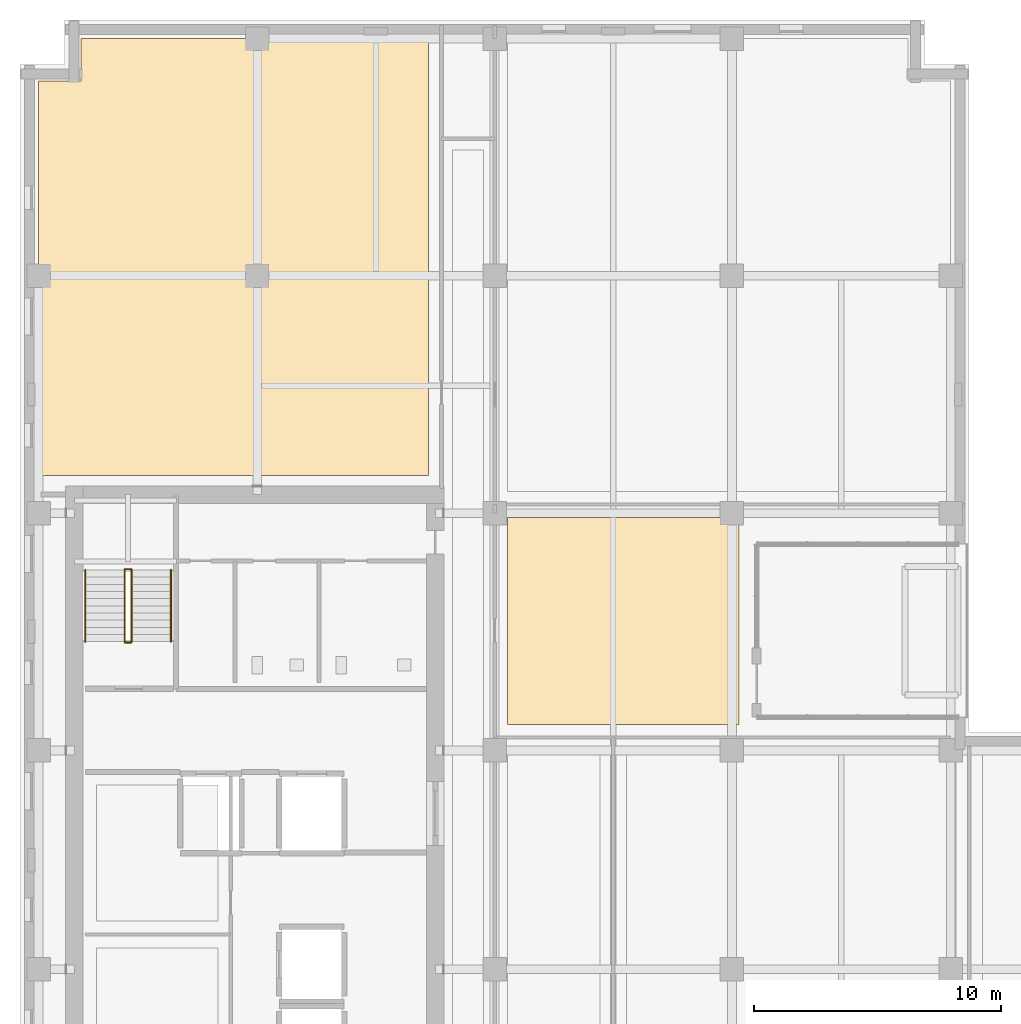
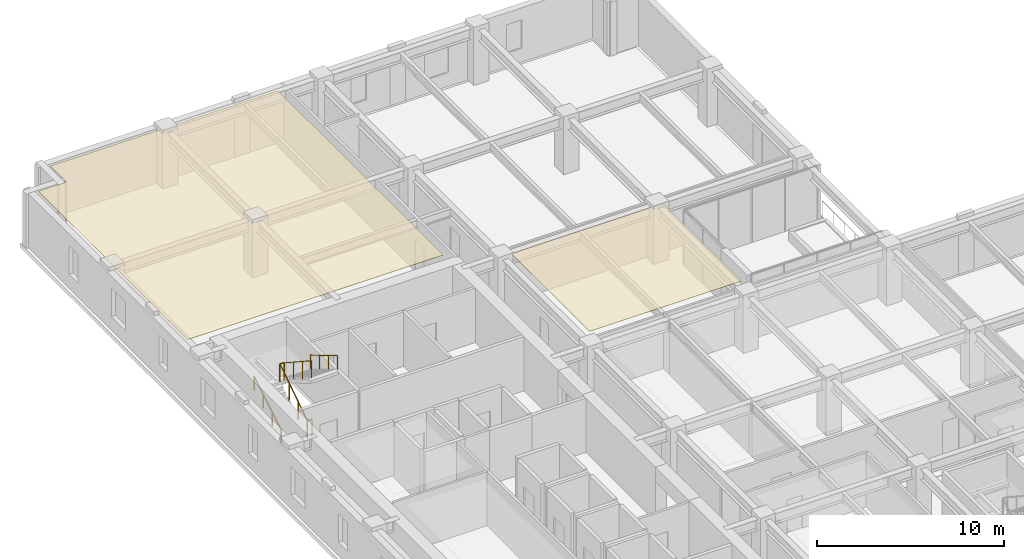
# One storey, part 14 of 16: 6 railings, 2 coverings.
"""IFC4 building model written with IfcOpenShell, lengths in metres."""

from ifc_helpers import new_model, si_unit, direction, frame, origin, origin_2d, place, context, subcontext, project, spatial, polyline, circle, outline, extrude, material, layer, layer_set, type_object, element, save


model = new_model("IFC4")

# Units and contexts
model_context = context("Model", 3, precision=1e-05, world=origin(), true_north=direction((0.0, 1.0)))
body_context = subcontext(model_context, "Body", "Model", "MODEL_VIEW")
ifc_project = project(units=[si_unit("LENGTHUNIT", "METRE"), si_unit("AREAUNIT", "SQUARE_METRE"), si_unit("VOLUMEUNIT", "CUBIC_METRE"), si_unit("PLANEANGLEUNIT", "RADIAN"), si_unit("MASSUNIT", "GRAM", prefix="KILO")], contexts=[model_context])

# Site, building, storey
site_placement = place(None, origin())
site = spatial("IfcSite", under=ifc_project, at=site_placement, CompositionType="ELEMENT")
building_placement = place(site_placement, origin())
building = spatial("IfcBuilding", under=site, at=building_placement, Name="Norrvale University Quadrangle", CompositionType="ELEMENT")
storey_placement = place(building_placement, frame((0.0, 0.0, 167.39990234375)))
storey = spatial("IfcBuildingStorey", under=building, at=storey_placement, Name="L42", CompositionType="ELEMENT", Elevation=167.39990234375)

# Coverings
ifc_material_1 = material(Name="Perforated Acoustic Mineral Ceiling")
ifc_layer = layer(ifc_material_1, 0.02490234375, Name="Perforated Acoustic Mineral Ceiling")
ifc_layer_set = layer_set([ifc_layer], Name="Perforated Acoustic Mineral Ceiling")
covering_type = type_object("IfcCoveringType", Name="Covering Acoustic Ceiling 25", PredefinedType="CEILING", material=ifc_layer_set)
covering_1_placement = place(storey_placement, frame((0.0, 0.0, 3.51513671875)))
element("IfcCovering", 1, at=covering_1_placement, inside=storey, type_object=covering_type, Name="Acoustic Ceiling RM-L42-MNE01", PredefinedType="CEILING", context=body_context, shape_type="SweptSolid", body=[
    extrude(outline(polyline([(19.72998046875, 47.070068359375), (29.090087890625, 47.070068359375), (29.090087890625, 38.7099609375), (19.72998046875, 38.7099609375), (19.72998046875, 47.070068359375)])), origin(), (0.0, 0.0, 1.0), 0.02490234375),
])
covering_2_placement = place(storey_placement, frame((0.0, 0.0, 3.51513671875)))
element("IfcCovering", 2, at=covering_2_placement, inside=storey, type_object=covering_type, Name="Acoustic Ceiling RM-L42-NW01", PredefinedType="CEILING", context=body_context, shape_type="SweptSolid", body=[
    extrude(outline(polyline([(16.52001953125, 66.449951171875), (16.52001953125, 48.780029296875), (0.75, 48.780029296875), (0.75, 64.72998046875), (2.469970703125, 64.72998046875), (2.469970703125, 66.449951171875), (16.52001953125, 66.449951171875)])), origin(), (0.0, 0.0, 1.0), 0.02490234375),
])

# Railings
ifc_material_2 = material(Name="Steel 350W Painted Balustrade", Category="steel")
railing_type_1 = type_object("IfcRailingType", Name="Railing Stair Guard 1100", PredefinedType="GUARDRAIL", material=ifc_material_2)
for number, where, name in (
    (3, (4.239990234375, 42.02001953125, 0.0), "Stair Floor Well Guard ST-02 L42"),
    (4, (4.239990234375, 44.97998046875, 1.900146484375), "Stair Mid-Landing Slot Guard ST-02 L42"),
):
    element("IfcRailing", number, at=place(storey_placement, frame(where)), inside=storey, type_object=railing_type_1, Name=name, PredefinedType="GUARDRAIL", context=body_context, shape_type="SweptSolid", body=[
        extrude(circle(Radius=0.02392578125, at=origin_2d()), frame((0.0, 0.0, 1.1259765625), z_axis=(1.0, 0.0, 0.0), x_axis=(0.0, 1.0, 0.0)), (0.0, 0.0, 1.0), 0.27001953125),
        extrude(circle(Radius=0.02099609375, at=origin_2d()), origin(), (0.0, 0.0, 1.0), 1.101806640625),
        extrude(circle(Radius=0.02099609375, at=origin_2d()), frame((0.27001953125, 0.0, 0.0)), (0.0, 0.0, 1.0), 1.101806640625),
    ])
railing_1_placement = place(storey_placement, frame((4.239990234375, 42.050048828125, 0.0)))
element("IfcRailing", 5, at=railing_1_placement, inside=storey, type_object=railing_type_1, Name="Stair Lower Flight Inner Guard ST-02 L42", PredefinedType="GUARDRAIL", context=body_context, shape_type="SweptSolid", body=[
    extrude(circle(Radius=0.02392578125, at=origin_2d()), frame((0.0, 0.0, 1.1259765625), z_axis=(0.0, 0.836433300813, 0.548068730445), x_axis=(-1.0, 0.0, 0.0)), (0.0, 0.0, 1.0), 3.467041015625),
    extrude(circle(Radius=0.02099609375, at=origin_2d()), origin(), (0.0, 0.0, 1.0), 1.101806640625),
    extrude(circle(Radius=0.02099609375, at=origin_2d()), frame((0.0, 0.966552734375, 0.63330078125)), (0.0, 0.0, 1.0), 1.101806640625),
    extrude(circle(Radius=0.02099609375, at=origin_2d()), frame((0.0, 1.933349609375, 1.266845703125)), (0.0, 0.0, 1.0), 1.101806640625),
    extrude(circle(Radius=0.02099609375, at=origin_2d()), frame((0.0, 2.89990234375, 1.900146484375)), (0.0, 0.0, 1.0), 1.101806640625),
])
railing_2_placement = place(storey_placement, frame((4.510009765625, 44.949951171875, 1.900146484375)))
element("IfcRailing", 6, at=railing_2_placement, inside=storey, type_object=railing_type_1, Name="Stair Upper Flight Inner Guard ST-02 L42", PredefinedType="GUARDRAIL", context=body_context, shape_type="SweptSolid", body=[
    extrude(circle(Radius=0.02392578125, at=origin_2d()), frame((0.0, 0.0, 1.1259765625), z_axis=(0.0, -0.836465582154, 0.548019461216), x_axis=(1.0, 0.0, 0.0)), (0.0, 0.0, 1.0), 3.466796875),
    extrude(circle(Radius=0.02099609375, at=origin_2d()), origin(), (0.0, 0.0, 1.0), 1.101806640625),
    extrude(circle(Radius=0.02099609375, at=origin_2d()), frame((0.0, -0.966552734375, 0.63330078125)), (0.0, 0.0, 1.0), 1.101806640625),
    extrude(circle(Radius=0.02099609375, at=origin_2d()), frame((0.0, -1.933349609375, 1.2666015625)), (0.0, 0.0, 1.0), 1.101806640625),
    extrude(circle(Radius=0.02099609375, at=origin_2d()), frame((0.0, -2.89990234375, 1.89990234375)), (0.0, 0.0, 1.0), 1.101806640625),
])
ifc_material_3 = material(Name="Stainless Steel 316L Handrail", Category="steel")
railing_type_2 = type_object("IfcRailingType", Name="Railing Stair Handrail 920", PredefinedType="HANDRAIL", material=ifc_material_3)
railing_3_placement = place(storey_placement, frame((2.639892578125, 42.050048828125, 0.1728515625)))
element("IfcRailing", 7, at=railing_3_placement, inside=storey, type_object=railing_type_2, Name="Stair Lower Flight Handrail ST-02 L42", PredefinedType="HANDRAIL", context=body_context, shape_type="SweptSolid", body=[
    extrude(circle(Radius=0.02392578125, at=origin_2d()), frame((0.0, 0.0, 0.89599609375), z_axis=(0.0, 0.859141464434, 0.511738159696), x_axis=(-1.0, 0.0, 0.0)), (0.0, 0.0, 1.0), 3.375244140625),
    extrude(circle(Radius=0.02099609375, at=origin_2d()), origin(), (0.0, 0.0, 1.0), 0.871826171875),
    extrude(circle(Radius=0.02099609375, at=origin_2d()), frame((0.0, 0.966552734375, 0.57568359375)), (0.0, 0.0, 1.0), 0.871826171875),
    extrude(circle(Radius=0.02099609375, at=origin_2d()), frame((0.0, 1.933349609375, 1.151611328125)), (0.0, 0.0, 1.0), 0.871826171875),
    extrude(circle(Radius=0.02099609375, at=origin_2d()), frame((0.0, 2.89990234375, 1.727294921875)), (0.0, 0.0, 1.0), 0.871826171875),
])
railing_4_placement = place(storey_placement, frame((6.110107421875, 44.949951171875, 2.07275390625)))
element("IfcRailing", 8, at=railing_4_placement, inside=storey, type_object=railing_type_2, Name="Stair Upper Flight Handrail ST-02 L42", PredefinedType="HANDRAIL", context=body_context, shape_type="SweptSolid", body=[
    extrude(circle(Radius=0.02392578125, at=origin_2d()), frame((0.0, 0.0, 0.89599609375), z_axis=(0.0, -0.859141464434, 0.511738159696), x_axis=(1.0, 0.0, 0.0)), (0.0, 0.0, 1.0), 3.375244140625),
    extrude(circle(Radius=0.02099609375, at=origin_2d()), origin(), (0.0, 0.0, 1.0), 0.871826171875),
    extrude(circle(Radius=0.02099609375, at=origin_2d()), frame((0.0, -0.966552734375, 0.57568359375)), (0.0, 0.0, 1.0), 0.871826171875),
    extrude(circle(Radius=0.02099609375, at=origin_2d()), frame((0.0, -1.933349609375, 1.151611328125)), (0.0, 0.0, 1.0), 0.871826171875),
    extrude(circle(Radius=0.02099609375, at=origin_2d()), frame((0.0, -2.89990234375, 1.727294921875)), (0.0, 0.0, 1.0), 0.871826171875),
])

save(model, "model.ifc")
